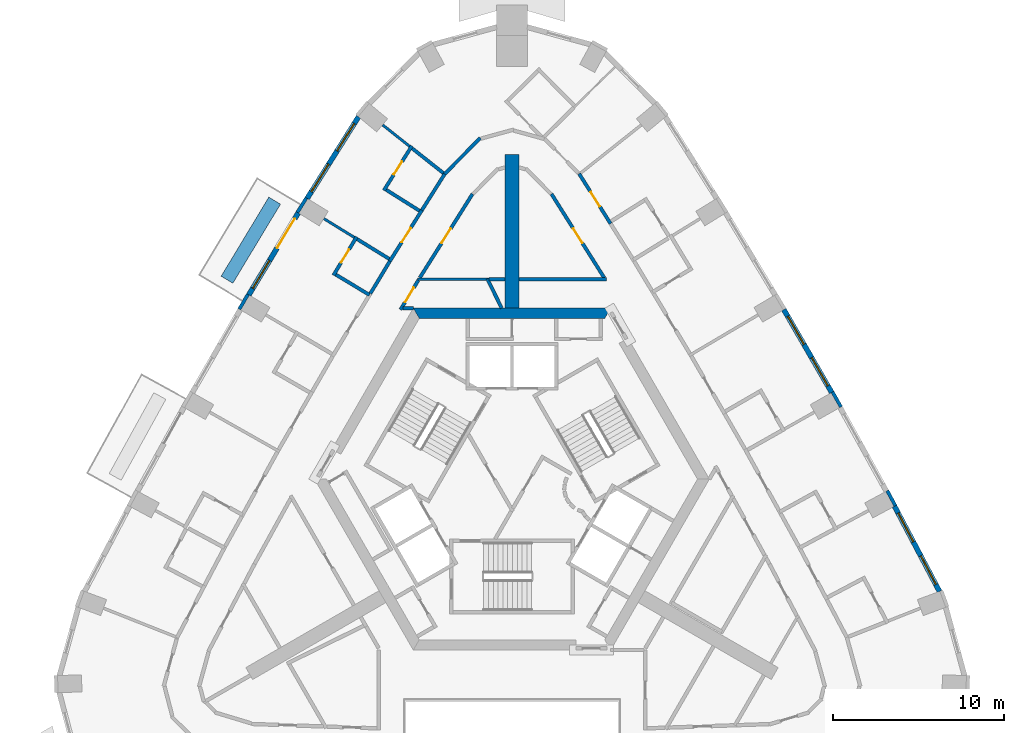
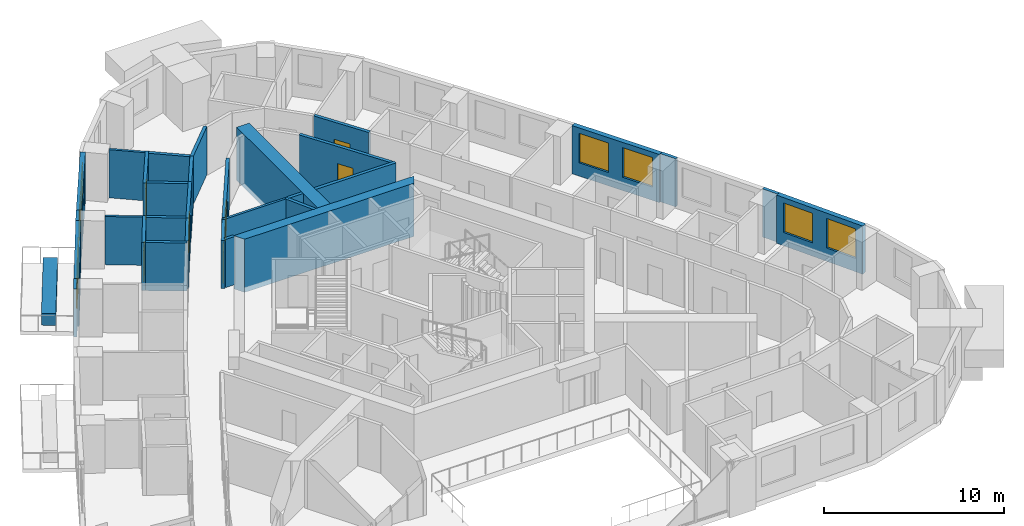
# One storey, part 9 of 14: 32 walls, 8 doors, 7 windows, 15 openings.
"""IFC4 building model written with IfcOpenShell, lengths in metres."""

import ifcopenshell
import ifcopenshell.guid

model = None  # the IFC model being written
_history = None  # IfcOwnerHistory: only IFC2X3 demands one
_inside = {}  # id of a spatial element -> (the spatial element, [elements in it])
_under = {}  # id of a project, library or spatial element -> (it, [spatial elements below it])
_declared = {}  # id of a project -> (the project, [libraries it declares])
_typed = {}  # id of a type object -> (the type object, [elements of that type])
_made_of = {}  # id of a material, layer set ... -> (it, [elements and type objects made of it])


def new_model(schema):
    """Start an empty IFC model of exactly this schema.

    Asked for "IFC4X3", IfcOpenShell would pick the latest addendum, in which some entities
    have other attributes; the version numbers below select the first issue.
    IFC2X3 requires an IfcOwnerHistory on every rooted entity: one is made here for all.
    """
    global model, _history
    if schema == "IFC4X3":
        model = ifcopenshell.file(schema_version=(4, 3, 0, 0))
    else:
        model = ifcopenshell.file(schema=schema)
    _inside.clear()
    _under.clear()
    _declared.clear()
    _typed.clear()
    _made_of.clear()
    _history = None
    if model.schema == "IFC2X3":
        org = make("IfcOrganization", Name="unknown")
        user = make(
            "IfcPersonAndOrganization",
            ThePerson=make("IfcPerson", FamilyName="unknown"),
            TheOrganization=org,
        )
        app = make(
            "IfcApplication",
            ApplicationDeveloper=org,
            Version="unknown",
            ApplicationFullName="unknown",
            ApplicationIdentifier="unknown",
        )
        _history = make(
            "IfcOwnerHistory",
            OwningUser=user,
            OwningApplication=app,
            ChangeAction="ADDED",
            CreationDate=0,
        )
    return model


def make(cls, **values):
    """One entity of the class cls with the attributes given. An attribute that is None is left unset."""
    return model.create_entity(
        cls, **{name: value for name, value in values.items() if value is not None}
    )


def rooted(cls, **values):
    """An entity with a GlobalId (a new one), such as an element, a storey or a relation."""
    return make(cls, GlobalId=ifcopenshell.guid.new(), OwnerHistory=_history, **values)


def si_unit(unit_type, name, prefix=None):
    """IfcSIUnit, for example si_unit("LENGTHUNIT", "METRE", prefix="MILLI")."""
    return make("IfcSIUnit", UnitType=unit_type, Prefix=prefix, Name=name)


def assignment(units):
    """IfcUnitAssignment: the units of a project."""
    return None if units is None else make("IfcUnitAssignment", Units=units)


def point(xyz):
    """IfcCartesianPoint."""
    return None if xyz is None else make("IfcCartesianPoint", Coordinates=xyz)


def direction(xyz):
    """IfcDirection."""
    return None if xyz is None else make("IfcDirection", DirectionRatios=xyz)


def frame(location, z_axis=None, x_axis=None):
    """IfcAxis2Placement3D, a coordinate frame: its origin and axes. An axis left out is left unset."""
    return make(
        "IfcAxis2Placement3D",
        Location=point(location),
        Axis=direction(z_axis),
        RefDirection=direction(x_axis),
    )


def frame_2d(location, x_axis=None):
    """IfcAxis2Placement2D, a coordinate frame in the plane: its origin and x axis."""
    return make(
        "IfcAxis2Placement2D", Location=point(location), RefDirection=direction(x_axis)
    )


def origin():
    """The frame at (0, 0, 0) with its axes left unset."""
    return frame((0.0, 0.0, 0.0))


def place(relative_to, where):
    """IfcLocalPlacement: puts the frame where relative to a parent placement (None: the world)."""
    return make(
        "IfcLocalPlacement", PlacementRelTo=relative_to, RelativePlacement=where
    )


def context(
    kind, dimensions, precision=None, world=None, true_north=None, identifier=None
):
    """IfcGeometricRepresentationContext, for example the 3D "Model" context."""
    return make(
        "IfcGeometricRepresentationContext",
        ContextIdentifier=identifier,
        ContextType=kind,
        CoordinateSpaceDimension=dimensions,
        Precision=precision,
        WorldCoordinateSystem=world,
        TrueNorth=true_north,
    )


def subcontext(parent, identifier, kind, view, scale=None):
    """IfcGeometricRepresentationSubContext, for example "Body" below "Model"."""
    return make(
        "IfcGeometricRepresentationSubContext",
        ContextIdentifier=identifier,
        ContextType=kind,
        ParentContext=parent,
        TargetScale=scale,
        TargetView=view,
    )


def project(units=None, contexts=None):
    """IfcProject with its units and contexts."""
    return rooted(
        "IfcProject",
        Name="project",
        RepresentationContexts=contexts,
        UnitsInContext=assignment(units),
    )


def spatial(cls, under=None, at=None, **own):
    """A site, building, storey or space (cls), placed at a placement, below another one or the project."""
    s = rooted(cls, ObjectPlacement=at, **own)
    if under is not None:
        _under.setdefault(under.id(), (under, []))[1].append(s)
    return s


def polyline(points):
    """IfcPolyline through the points."""
    return make("IfcPolyline", Points=[point(p) for p in points])


def profile(cls, at=None, kind="AREA", **sizes):
    """A parametric profile (cls). Its sizes go by their IFC names, for example OverallWidth=200.0."""
    return make(cls, ProfileType=kind, Position=at, **sizes)


def rectangle(**sizes):
    """IfcRectangleProfileDef."""
    return profile("IfcRectangleProfileDef", **sizes)


def outline(outer, holes=None, kind="AREA"):
    """IfcArbitraryClosedProfileDef: a profile drawn as a closed curve; with holes, ...WithVoids."""
    if holes is None:
        return make("IfcArbitraryClosedProfileDef", ProfileType=kind, OuterCurve=outer)
    return make(
        "IfcArbitraryProfileDefWithVoids",
        ProfileType=kind,
        OuterCurve=outer,
        InnerCurves=holes,
    )


def extrude(swept, where, along, depth):
    """IfcExtrudedAreaSolid: the profile swept, set in the frame where, extruded along a direction by depth."""
    return make(
        "IfcExtrudedAreaSolid",
        SweptArea=swept,
        Position=where,
        ExtrudedDirection=direction(along),
        Depth=depth,
    )


def shape(context_of_items, identifier, shape_type, items):
    """IfcShapeRepresentation: the items that make up one representation, for example the "Body"."""
    return make(
        "IfcShapeRepresentation",
        ContextOfItems=context_of_items,
        RepresentationIdentifier=identifier,
        RepresentationType=shape_type,
        Items=items,
    )


def material(Name=None, Category=None):
    """IfcMaterial."""
    return make("IfcMaterial", Name=Name, Category=Category)


def layer(
    of_material, thickness, ventilated=None, Name=None, Category=None, Priority=None
):
    """IfcMaterialLayer: one layer of a wall or slab, of a material (None: an air gap)."""
    return make(
        "IfcMaterialLayer",
        Material=of_material,
        LayerThickness=thickness,
        IsVentilated=ventilated,
        Name=Name,
        Category=Category,
        Priority=Priority,
    )


def layer_set(layers, Name=None):
    """IfcMaterialLayerSet."""
    return make("IfcMaterialLayerSet", MaterialLayers=layers, LayerSetName=Name)


def made_of(thing, what):
    """Note that an element or type object is made of a material, layer set ...; save() writes the relation."""
    if what is not None:
        _made_of.setdefault(what.id(), (what, []))[1].append(thing)
    return thing


def type_object(cls, material=None, **own):
    """A type object (cls), such as IfcWallType, which elements share."""
    return made_of(rooted(cls, **own), material)


def element(
    cls,
    number,
    at=None,
    inside=None,
    cuts=None,
    type_object=None,
    material=None,
    context=None,
    identifier="Body",
    shape_type=None,
    held_by="IfcProductDefinitionShape",
    body=None,
    shapes=None,
    **own,
):
    """One element of the class cls, such as IfcWall. Its Tag is "e" and its number.

    at: its placement. inside: the storey or other place that contains it. cuts: it is an
    opening in that element (IfcRelVoidsElement). A single representation is given by context,
    identifier, shape_type and body (its items); several are given by shapes. held_by: the class
    of the entity that holds the representations. save() writes the other relations.
    """
    e = rooted(cls, Tag="e%d" % number, ObjectPlacement=at, **own)
    if body is not None:
        shapes = [shape(context, identifier, shape_type, body)]
    if shapes is not None:
        e.Representation = make(held_by, Representations=shapes)
    if inside is not None:
        _inside.setdefault(inside.id(), (inside, []))[1].append(e)
    if cuts is not None:
        rooted(
            "IfcRelVoidsElement", RelatingBuildingElement=cuts, RelatedOpeningElement=e
        )
    if type_object is not None:
        _typed.setdefault(type_object.id(), (type_object, []))[1].append(e)
    return made_of(e, material)


def fill(opening, filler):
    """IfcRelFillsElement: the door or window that sits in an opening."""
    return rooted(
        "IfcRelFillsElement",
        RelatingOpeningElement=opening,
        RelatedBuildingElement=filler,
    )


def aggregate(whole, parts):
    """IfcRelAggregates: a whole, such as a stair, and the parts it consists of."""
    return rooted("IfcRelAggregates", RelatingObject=whole, RelatedObjects=parts)


def save(model, path):
    """Write the relations noted so far, then the file.

    IfcRelAggregates (storeys below a building ...), IfcRelContainedInSpatialStructure (elements
    in a storey), IfcRelDefinesByType, IfcRelAssociatesMaterial and IfcRelDeclares: one each for
    every whole, place, type object, material and project.
    """
    for whole, parts in _under.values():
        aggregate(whole, parts)
    for where, things in _inside.values():
        rooted(
            "IfcRelContainedInSpatialStructure",
            RelatedElements=things,
            RelatingStructure=where,
        )
    for kind, things in _typed.values():
        rooted("IfcRelDefinesByType", RelatedObjects=things, RelatingType=kind)
    for what, things in _made_of.values():
        rooted("IfcRelAssociatesMaterial", RelatedObjects=things, RelatingMaterial=what)
    for by, libraries in _declared.values():
        rooted("IfcRelDeclares", RelatingContext=by, RelatedDefinitions=libraries)
    model.write(path)


model = new_model("IFC4")

# Units and contexts
model_context = context("Model", 3, precision=1e-05, world=origin(), true_north=direction((0.0, 1.0)))
body_context = subcontext(model_context, "Body", "Model", "MODEL_VIEW")
ifc_project = project(units=[si_unit("LENGTHUNIT", "METRE"), si_unit("AREAUNIT", "SQUARE_METRE"), si_unit("VOLUMEUNIT", "CUBIC_METRE"), si_unit("PLANEANGLEUNIT", "RADIAN"), si_unit("MASSUNIT", "GRAM", prefix="KILO")], contexts=[model_context])

# Site, building, storey
site_placement = place(None, origin())
site = spatial("IfcSite", under=ifc_project, at=site_placement, CompositionType="ELEMENT")
building_placement = place(site_placement, origin())
building = spatial("IfcBuilding", under=site, at=building_placement, Name="Entoto Arch Interchange Tower", CompositionType="ELEMENT")
storey_placement = place(building_placement, frame((0.0, 0.0, 259.39990234375)))
storey = spatial("IfcBuildingStorey", under=building, at=storey_placement, Name="L59", CompositionType="ELEMENT", Elevation=259.39990234375)

# Walls
ifc_material_1 = material(Name="Concrete C40/50", Category="concrete")
ifc_layer_1 = layer(ifc_material_1, 0.800048828125)
ifc_layer_set_1 = layer_set([ifc_layer_1], Name="Concrete C40/50")
wall_type_1 = type_object("IfcWallType", Name="Buttress wall 800 C40/50", PredefinedType="SHEAR", material=ifc_layer_set_1)
wall_1_placement = place(storey_placement, frame((0.0, 12.5, -0.33984375), z_axis=(0.0, 0.0, 1.0), x_axis=(0.0, 1.0, 0.0)))
element("IfcWall", 1, at=wall_1_placement, inside=storey, type_object=wall_type_1, Name="Buttress wall N L59", PredefinedType="SHEAR", context=body_context, shape_type="SweptSolid", body=[
    extrude(rectangle(XDim=9.0, YDim=0.800048828125, at=frame_2d((4.5, 0.0))), origin(), (0.0, 0.0, 1.0), 3.599853515625),
])
ifc_layer_2 = layer(ifc_material_1, 0.60009765625)
ifc_layer_set_2 = layer_set([ifc_layer_2], Name="Concrete C40/50")
wall_type_2 = type_object("IfcWallType", Name="Core wall 600 C40/50", PredefinedType="SHEAR", material=ifc_layer_set_2)
wall_2_placement = place(storey_placement, frame((0.0, 0.0, -0.33984375)))
element("IfcWall", 2, at=wall_2_placement, inside=storey, type_object=wall_type_2, Name="Core wall N L59", PredefinedType="SHEAR", context=body_context, shape_type="SweptSolid", body=[
    extrude(outline(polyline([(5.77392578125, 12.5), (-5.77392578125, 12.5), (-5.427001953125, 11.89990234375), (5.427001953125, 11.89990234375), (5.77392578125, 12.5)])), origin(), (0.0, 0.0, 1.0), 3.599853515625),
])
ifc_material_2 = material(Name="Gypsum board partition on steel studs", Category="steel")
ifc_layer_3 = layer(ifc_material_2, 0.14990234375)
ifc_layer_set_3 = layer_set([ifc_layer_3], Name="Gypsum board partition on steel studs")
wall_type_3 = type_object("IfcWallType", Name="PARTITION 150", PredefinedType="PARTITIONING", material=ifc_layer_set_3)
wall_3_placement = place(storey_placement, frame((-1.333984375, 14.199951171875, 0.0), z_axis=(0.0, 0.0, 1.0), x_axis=(-1.0, 0.0, 0.0)))
element("IfcWall", 3, at=wall_3_placement, inside=storey, type_object=wall_type_3, Name="wall:L59:p089", PredefinedType="PARTITIONING", context=body_context, shape_type="SweptSolid", body=[
    extrude(rectangle(XDim=4.208984375, YDim=0.14990234375, at=frame_2d((2.1044921875, 0.0))), origin(), (0.0, 0.0, 1.0), 3.260009765625),
])
wall_4_placement = place(storey_placement, frame((-5.989990234375, 21.969970703125, 0.0), z_axis=(0.0, 0.0, 1.0), x_axis=(-0.783573405437, 0.621299218003, 0.0)))
element("IfcWall", 4, at=wall_4_placement, inside=storey, type_object=wall_type_3, Name="wall:L59:p155", PredefinedType="PARTITIONING", context=body_context, shape_type="SweptSolid", body=[
    extrude(rectangle(XDim=2.00244140625, YDim=0.14990234375, at=frame_2d((1.001220703125, 0.0))), origin(), (0.0, 0.0, 1.0), 3.260009765625),
])
wall_5_placement = place(storey_placement, frame((-9.22509765625, 16.64111328125, 0.0), z_axis=(0.0, 0.0, 1.0), x_axis=(-0.85144868382, 0.524437926566, 0.0)))
element("IfcWall", 5, at=wall_5_placement, inside=storey, type_object=wall_type_3, Name="wall:L59:p159", PredefinedType="PARTITIONING", context=body_context, shape_type="SweptSolid", body=[
    extrude(rectangle(XDim=2.080078125, YDim=0.14990234375, at=frame_2d((1.0400390625, 0.0))), origin(), (0.0, 0.0, 1.0), 3.260009765625),
])
ifc_layer_4 = layer(ifc_material_2, 0.199951171875)
ifc_layer_set_4 = layer_set([ifc_layer_4], Name="Gypsum board partition on steel studs")
wall_type_4 = type_object("IfcWallType", Name="PARTITION 200", PredefinedType="PARTITIONING", material=ifc_layer_set_4)
wall_6_placement = place(storey_placement, frame((-0.60009765625, 12.5, 0.0), z_axis=(0.0, 0.0, 1.0), x_axis=(-0.440531456598, 0.897737175206, 0.0)))
element("IfcWall", 6, at=wall_6_placement, inside=storey, type_object=wall_type_4, Name="wall:L59:p001", PredefinedType="PARTITIONING", context=body_context, shape_type="SweptSolid", body=[
    extrude(rectangle(XDim=1.91796875, YDim=0.199951171875, at=frame_2d((0.958984375, 0.0))), origin(), (0.0, 0.0, 1.0), 3.260009765625),
])

# Wall, opening, door
wall_7_placement = place(storey_placement, frame((-5.48193359375, 14.135986328125, 0.0), z_axis=(0.0, 0.0, 1.0), x_axis=(-0.516156559549, -0.856494253357, 0.0)))
wall_7 = element("IfcWall", 7, at=wall_7_placement, inside=storey, type_object=wall_type_4, Name="wall:L59:p002", PredefinedType="PARTITIONING", context=body_context, shape_type="SweptSolid", body=[
    extrude(rectangle(XDim=2.00927734375, YDim=0.199951171875, at=frame_2d((1.004638671875, 0.0))), origin(), (0.0, 0.0, 1.0), 3.260009765625),
])
opening_1_placement = place(wall_7_placement, frame((0.50390625, 0.0, 0.0)))
opening_1 = element("IfcOpeningElement", 8, at=opening_1_placement, cuts=wall_7, Name="Opening L59-D44", PredefinedType="OPENING", context=body_context, shape_type="SweptSolid", body=[
    extrude(rectangle(XDim=1.0, YDim=2.10009765625, at=frame_2d((0.5, 1.050048828125))), frame((0.0, 0.10986328125, 0.0), z_axis=(0.0, -1.0, 0.0), x_axis=(1.0, 0.0, 0.0)), (0.0, 0.0, 1.0), 0.219970703125),
])
ifc_material_3 = material(Name="Timber door leaf in Steel S235 frame", Category="steel")
door_type_1 = type_object("IfcDoorType", Name="DOOR DS-10 1000x2100", OperationType="SINGLE_SWING_LEFT", PredefinedType="DOOR", material=ifc_material_3)
door_1_placement = place(opening_1_placement, origin())
door_1 = element("IfcDoor", 9, at=door_1_placement, inside=storey, type_object=door_type_1, Name="door:L59:44", OperationType="SINGLE_SWING_LEFT", OverallHeight=2.10009765625, OverallWidth=1.0, PredefinedType="DOOR", context=body_context, shape_type="SweptSolid", body=[
    extrude(rectangle(XDim=1.0, YDim=2.10009765625, at=frame_2d((0.5, 1.050048828125))), frame((0.0, 0.02490234375, 0.0), z_axis=(0.0, -1.0, 0.0), x_axis=(1.0, 0.0, 0.0)), (0.0, 0.0, 1.0), 0.050048828125),
])
fill(opening_1, door_1)

# Walls
wall_8_placement = place(storey_placement, frame((-6.366943359375, 12.5009765625, 0.0), z_axis=(0.0, 0.0, 1.0), x_axis=(1.0, 0.0, 0.0)))
element("IfcWall", 10, at=wall_8_placement, inside=storey, type_object=wall_type_4, Name="wall:L59:p003", PredefinedType="PARTITIONING", context=body_context, shape_type="SweptSolid", body=[
    extrude(rectangle(XDim=0.595947265625, YDim=0.199951171875, at=frame_2d((0.2978515625, 0.0))), origin(), (0.0, 0.0, 1.0), 3.260009765625),
])
wall_9_placement = place(storey_placement, frame((0.39990234375, 14.199951171875, 0.0), z_axis=(0.0, 0.0, 1.0), x_axis=(1.0, 0.0, 0.0)))
element("IfcWall", 11, at=wall_9_placement, inside=storey, type_object=wall_type_4, Name="wall:L59:p006", PredefinedType="PARTITIONING", context=body_context, shape_type="SweptSolid", body=[
    extrude(rectangle(XDim=5.14306640625, YDim=0.199951171875, at=frame_2d((2.571533203125, 0.0))), origin(), (0.0, 0.0, 1.0), 3.260009765625),
])

# Wall, opening, door
wall_10_placement = place(storey_placement, frame((5.39404296875, 14.281005859375, 0.0), z_axis=(0.0, 0.0, 1.0), x_axis=(-0.532551510955, 0.846397594621, 0.0)))
wall_10 = element("IfcWall", 12, at=wall_10_placement, inside=storey, type_object=wall_type_4, Name="wall:L59:p007", PredefinedType="PARTITIONING", context=body_context, shape_type="SweptSolid", body=[
    extrude(rectangle(XDim=5.7890625, YDim=0.199951171875, at=frame_2d((2.89453125, 0.0))), origin(), (0.0, 0.0, 1.0), 3.260009765625),
])
opening_2_placement = place(wall_10_placement, frame((2.39404296875, 0.0, 0.0)))
opening_2 = element("IfcOpeningElement", 13, at=opening_2_placement, cuts=wall_10, Name="Opening L59-D38", PredefinedType="OPENING", context=body_context, shape_type="SweptSolid", body=[
    extrude(rectangle(XDim=1.0, YDim=2.10009765625, at=frame_2d((0.5, 1.050048828125))), frame((0.0, 0.10986328125, 0.0), z_axis=(0.0, -1.0, 0.0), x_axis=(1.0, 0.0, 0.0)), (0.0, 0.0, 1.0), 0.219970703125),
])
door_2_placement = place(opening_2_placement, origin())
door_2 = element("IfcDoor", 14, at=door_2_placement, inside=storey, type_object=door_type_1, Name="door:L59:38", OperationType="SINGLE_SWING_LEFT", OverallHeight=2.10009765625, OverallWidth=1.0, PredefinedType="DOOR", context=body_context, shape_type="SweptSolid", body=[
    extrude(rectangle(XDim=1.0, YDim=2.10009765625, at=frame_2d((0.5, 1.050048828125))), frame((0.0, 0.02490234375, 0.0), z_axis=(0.0, -1.0, 0.0), x_axis=(1.0, 0.0, 0.0)), (0.0, 0.0, 1.0), 0.050048828125),
])
fill(opening_2, door_2)

# Wall
wall_11_placement = place(storey_placement, frame((-1.333984375, 14.199951171875, 0.0), z_axis=(0.0, 0.0, 1.0), x_axis=(1.0, 0.0, 0.0)))
element("IfcWall", 15, at=wall_11_placement, inside=storey, type_object=wall_type_4, Name="wall:L59:p010", PredefinedType="PARTITIONING", context=body_context, shape_type="SweptSolid", body=[
    extrude(rectangle(XDim=0.93408203125, YDim=0.199951171875, at=frame_2d((0.467041015625, 0.0))), origin(), (0.0, 0.0, 1.0), 3.260009765625),
])

# Wall, opening, door
wall_12_placement = place(storey_placement, frame((-2.31103515625, 19.180908203125, 0.0), z_axis=(0.0, 0.0, 1.0), x_axis=(-0.532551510955, -0.846397594621, 0.0)))
wall_12 = element("IfcWall", 16, at=wall_12_placement, inside=storey, type_object=wall_type_4, Name="wall:L59:p013", PredefinedType="PARTITIONING", context=body_context, shape_type="SweptSolid", body=[
    extrude(rectangle(XDim=5.7890625, YDim=0.199951171875, at=frame_2d((2.89453125, 0.0))), origin(), (0.0, 0.0, 1.0), 3.260009765625),
])
opening_3_placement = place(wall_12_placement, frame((2.39404296875, 0.0, 0.0)))
opening_3 = element("IfcOpeningElement", 17, at=opening_3_placement, cuts=wall_12, Name="Opening L59-D39", PredefinedType="OPENING", context=body_context, shape_type="SweptSolid", body=[
    extrude(rectangle(XDim=1.0, YDim=2.10009765625, at=frame_2d((0.5, 1.050048828125))), frame((0.0, 0.10986328125, 0.0), z_axis=(0.0, -1.0, 0.0), x_axis=(1.0, 0.0, 0.0)), (0.0, 0.0, 1.0), 0.219970703125),
])
door_3_placement = place(opening_3_placement, origin())
door_3 = element("IfcDoor", 18, at=door_3_placement, inside=storey, type_object=door_type_1, Name="door:L59:39", OperationType="SINGLE_SWING_LEFT", OverallHeight=2.10009765625, OverallWidth=1.0, PredefinedType="DOOR", context=body_context, shape_type="SweptSolid", body=[
    extrude(rectangle(XDim=1.0, YDim=2.10009765625, at=frame_2d((0.5, 1.050048828125))), frame((0.0, 0.02490234375, 0.0), z_axis=(0.0, -1.0, 0.0), x_axis=(1.0, 0.0, 0.0)), (0.0, 0.0, 1.0), 0.050048828125),
])
fill(opening_3, door_3)

wall_13_placement = place(storey_placement, frame((3.927978515625, 20.366943359375, 0.0), z_axis=(0.0, 0.0, 1.0), x_axis=(0.532616247911, -0.846356858814, 0.0)))
wall_13 = element("IfcWall", 19, at=wall_13_placement, inside=storey, type_object=wall_type_4, Name="wall:L59:p050", PredefinedType="PARTITIONING", context=body_context, shape_type="SweptSolid", body=[
    extrude(rectangle(XDim=3.451171875, YDim=0.199951171875, at=frame_2d((1.7255859375, 0.0))), origin(), (0.0, 0.0, 1.0), 3.260009765625),
])
opening_4_placement = place(wall_13_placement, frame((1.27490234375, 0.0, 0.0)))
opening_4 = element("IfcOpeningElement", 20, at=opening_4_placement, cuts=wall_13, Name="Opening L59-D14", PredefinedType="OPENING", context=body_context, shape_type="SweptSolid", body=[
    extrude(rectangle(XDim=1.0, YDim=2.10009765625, at=frame_2d((0.5, 1.050048828125))), frame((0.0, 0.10986328125, 0.0), z_axis=(0.0, -1.0, 0.0), x_axis=(1.0, 0.0, 0.0)), (0.0, 0.0, 1.0), 0.219970703125),
])
ifc_material_4 = material(Name="Fire-rated Steel S235 door and frame", Category="steel")
door_type_2 = type_object("IfcDoorType", Name="DOOR FD-10 1000x2100", OperationType="SINGLE_SWING_LEFT", PredefinedType="DOOR", material=ifc_material_4)
door_4_placement = place(opening_4_placement, origin())
door_4 = element("IfcDoor", 21, at=door_4_placement, inside=storey, type_object=door_type_2, Name="door:L59:14", OperationType="SINGLE_SWING_LEFT", OverallHeight=2.10009765625, OverallWidth=1.0, PredefinedType="DOOR", context=body_context, shape_type="SweptSolid", body=[
    extrude(rectangle(XDim=1.0, YDim=2.10009765625, at=frame_2d((0.5, 1.050048828125))), frame((0.0, 0.02490234375, 0.0), z_axis=(0.0, -1.0, 0.0), x_axis=(1.0, 0.0, 0.0)), (0.0, 0.0, 1.0), 0.050048828125),
])
fill(opening_4, door_4)

# Wall
wall_14_placement = place(storey_placement, frame((-4.011962890625, 20.27490234375, 0.0), z_axis=(0.0, 0.0, 1.0), x_axis=(0.702488437915, 0.711695155664, 0.0)))
element("IfcWall", 22, at=wall_14_placement, inside=storey, type_object=wall_type_4, Name="wall:L59:p053", PredefinedType="PARTITIONING", context=body_context, shape_type="SweptSolid", body=[
    extrude(rectangle(XDim=3.075927734375, YDim=0.199951171875, at=frame_2d((1.5380859375, 0.0))), origin(), (0.0, 0.0, 1.0), 3.260009765625),
])

# Wall, opening, door
wall_15_placement = place(storey_placement, frame((-7.14990234375, 15.24609375, 0.0), z_axis=(0.0, 0.0, 1.0), x_axis=(0.532449518014, 0.846461759778, 0.0)))
wall_15 = element("IfcWall", 23, at=wall_15_placement, inside=storey, type_object=wall_type_4, Name="wall:L59:p056", PredefinedType="PARTITIONING", context=body_context, shape_type="SweptSolid", body=[
    extrude(rectangle(XDim=3.525146484375, YDim=0.199951171875, at=frame_2d((1.7626953125, 0.0))), origin(), (0.0, 0.0, 1.0), 3.260009765625),
])
opening_5_placement = place(wall_15_placement, frame((1.31298828125, 0.0, 0.0)))
opening_5 = element("IfcOpeningElement", 24, at=opening_5_placement, cuts=wall_15, Name="Opening L59-D19", PredefinedType="OPENING", context=body_context, shape_type="SweptSolid", body=[
    extrude(rectangle(XDim=1.0, YDim=2.10009765625, at=frame_2d((0.5, 1.050048828125))), frame((0.0, 0.10986328125, 0.0), z_axis=(0.0, -1.0, 0.0), x_axis=(1.0, 0.0, 0.0)), (0.0, 0.0, 1.0), 0.219970703125),
])
door_5_placement = place(opening_5_placement, origin())
door_5 = element("IfcDoor", 25, at=door_5_placement, inside=storey, type_object=door_type_2, Name="door:L59:19", OperationType="SINGLE_SWING_RIGHT", OverallHeight=2.10009765625, OverallWidth=1.0, PredefinedType="DOOR", context=body_context, shape_type="SweptSolid", body=[
    extrude(rectangle(XDim=1.0, YDim=2.10009765625, at=frame_2d((0.5, 1.050048828125))), frame((0.0, 0.02490234375, 0.0), z_axis=(0.0, -1.0, 0.0), x_axis=(1.0, 0.0, 0.0)), (0.0, 0.0, 1.0), 0.050048828125),
])
fill(opening_5, door_5)

# Walls
wall_16_placement = place(storey_placement, frame((-5.27294921875, 18.22998046875, 0.0), z_axis=(0.0, 0.0, 1.0), x_axis=(0.532743344325, 0.846276863135, 0.0)))
element("IfcWall", 26, at=wall_16_placement, inside=storey, type_object=wall_type_4, Name="wall:L59:p057", PredefinedType="PARTITIONING", context=body_context, shape_type="SweptSolid", body=[
    extrude(rectangle(XDim=2.500244140625, YDim=0.199951171875, at=frame_2d((1.25, 0.0))), origin(), (0.0, 0.0, 1.0), 3.260009765625),
])
wall_17_placement = place(storey_placement, frame((-8.283935546875, 13.361083984375, 0.0), z_axis=(0.0, 0.0, 1.0), x_axis=(0.516354965559, 0.856374654893, 0.0)))
element("IfcWall", 27, at=wall_17_placement, inside=storey, type_object=wall_type_4, Name="wall:L59:p059", PredefinedType="PARTITIONING", context=body_context, shape_type="SweptSolid", body=[
    extrude(rectangle(XDim=2.199951171875, YDim=0.199951171875, at=frame_2d((1.10009765625, 0.0))), origin(), (0.0, 0.0, 1.0), 3.260009765625),
])
wall_18_placement = place(storey_placement, frame((-4.02001953125, 20.407958984375, 0.0), z_axis=(0.0, 0.0, 1.0), x_axis=(-0.783681902275, 0.621162358846, 0.0)))
element("IfcWall", 28, at=wall_18_placement, inside=storey, type_object=wall_type_4, Name="wall:L59:p156", PredefinedType="PARTITIONING", context=body_context, shape_type="SweptSolid", body=[
    extrude(rectangle(XDim=2.3134765625, YDim=0.199951171875, at=frame_2d((1.15673828125, 0.0))), origin(), (0.0, 0.0, 1.0), 3.260009765625),
])

# Wall, opening, door
wall_19_placement = place(storey_placement, frame((-5.85791015625, 21.991943359375, 0.0), z_axis=(0.0, 0.0, 1.0), x_axis=(-0.532874387162, -0.846194355634, 0.0)))
wall_19 = element("IfcWall", 29, at=wall_19_placement, inside=storey, type_object=wall_type_4, Name="wall:L59:p157", PredefinedType="PARTITIONING", context=body_context, shape_type="SweptSolid", body=[
    extrude(rectangle(XDim=3.072509765625, YDim=0.199951171875, at=frame_2d((1.5361328125, 0.0))), origin(), (0.0, 0.0, 1.0), 3.260009765625),
])
opening_6_placement = place(wall_19_placement, frame((1.0859375, 0.0, 0.0)))
opening_6 = element("IfcOpeningElement", 30, at=opening_6_placement, cuts=wall_19, Name="Opening L59-D20", PredefinedType="OPENING", context=body_context, shape_type="SweptSolid", body=[
    extrude(rectangle(XDim=0.89990234375, YDim=2.10009765625, at=frame_2d((0.449951171875, 1.050048828125))), frame((0.0, 0.10986328125, 0.0), z_axis=(0.0, -1.0, 0.0), x_axis=(1.0, 0.0, 0.0)), (0.0, 0.0, 1.0), 0.219970703125),
])
door_type_3 = type_object("IfcDoorType", Name="DOOR DS-09 900x2100", OperationType="SINGLE_SWING_LEFT", PredefinedType="DOOR", material=ifc_material_3)
door_6_placement = place(opening_6_placement, origin())
door_6 = element("IfcDoor", 31, at=door_6_placement, inside=storey, type_object=door_type_3, Name="door:L59:20", OperationType="SINGLE_SWING_LEFT", OverallHeight=2.10009765625, OverallWidth=0.89990234375, PredefinedType="DOOR", context=body_context, shape_type="SweptSolid", body=[
    extrude(rectangle(XDim=0.89990234375, YDim=2.10009765625, at=frame_2d((0.449951171875, 1.050048828125))), frame((0.0, 0.02490234375, 0.0), z_axis=(0.0, -1.0, 0.0), x_axis=(1.0, 0.0, 0.0)), (0.0, 0.0, 1.0), 0.050048828125),
])
fill(opening_6, door_6)

# Walls
wall_20_placement = place(storey_placement, frame((-7.35693359375, 19.423095703125, 0.0), z_axis=(0.0, 0.0, 1.0), x_axis=(0.846270070045, -0.532754135176, 0.0)))
element("IfcWall", 32, at=wall_20_placement, inside=storey, type_object=wall_type_4, Name="wall:L59:p158", PredefinedType="PARTITIONING", context=body_context, shape_type="SweptSolid", body=[
    extrude(rectangle(XDim=2.299560546875, YDim=0.199951171875, at=frame_2d((1.14990234375, 0.0))), origin(), (0.0, 0.0, 1.0), 3.260009765625),
])
wall_21_placement = place(storey_placement, frame((-7.181884765625, 15.383056640625, 0.0), z_axis=(0.0, 0.0, 1.0), x_axis=(-0.851498142432, 0.524357619792, 0.0)))
element("IfcWall", 33, at=wall_21_placement, inside=storey, type_object=wall_type_4, Name="wall:L59:p160", PredefinedType="PARTITIONING", context=body_context, shape_type="SweptSolid", body=[
    extrude(rectangle(XDim=2.198486328125, YDim=0.199951171875, at=frame_2d((1.09912109375, 0.0))), origin(), (0.0, 0.0, 1.0), 3.260009765625),
])

# Wall, opening, door
wall_22_placement = place(storey_placement, frame((-9.087890625, 16.674072265625, 0.0), z_axis=(0.0, 0.0, 1.0), x_axis=(-0.516780274192, -0.856118069081, 0.0)))
wall_22 = element("IfcWall", 34, at=wall_22_placement, inside=storey, type_object=wall_type_4, Name="wall:L59:p161", PredefinedType="PARTITIONING", context=body_context, shape_type="SweptSolid", body=[
    extrude(rectangle(XDim=2.62255859375, YDim=0.199951171875, at=frame_2d((1.311279296875, 0.0))), origin(), (0.0, 0.0, 1.0), 3.260009765625),
])
opening_7_placement = place(wall_22_placement, frame((0.861083984375, 0.0, 0.0)))
opening_7 = element("IfcOpeningElement", 35, at=opening_7_placement, cuts=wall_22, Name="Opening L59-D22", PredefinedType="OPENING", context=body_context, shape_type="SweptSolid", body=[
    extrude(rectangle(XDim=0.89990234375, YDim=2.10009765625, at=frame_2d((0.449951171875, 1.050048828125))), frame((0.0, 0.10986328125, 0.0), z_axis=(0.0, -1.0, 0.0), x_axis=(1.0, 0.0, 0.0)), (0.0, 0.0, 1.0), 0.219970703125),
])
door_7_placement = place(opening_7_placement, origin())
door_7 = element("IfcDoor", 36, at=door_7_placement, inside=storey, type_object=door_type_3, Name="door:L59:22", OperationType="SINGLE_SWING_LEFT", OverallHeight=2.10009765625, OverallWidth=0.89990234375, PredefinedType="DOOR", context=body_context, shape_type="SweptSolid", body=[
    extrude(rectangle(XDim=0.89990234375, YDim=2.10009765625, at=frame_2d((0.449951171875, 1.050048828125))), frame((0.0, 0.02490234375, 0.0), z_axis=(0.0, -1.0, 0.0), x_axis=(1.0, 0.0, 0.0)), (0.0, 0.0, 1.0), 0.050048828125),
])
fill(opening_7, door_7)

# Walls
wall_23_placement = place(storey_placement, frame((-10.305908203125, 14.462890625, 0.0), z_axis=(0.0, 0.0, 1.0), x_axis=(0.856338986581, -0.51641411683, 0.0)))
element("IfcWall", 37, at=wall_23_placement, inside=storey, type_object=wall_type_4, Name="wall:L59:p162", PredefinedType="PARTITIONING", context=body_context, shape_type="SweptSolid", body=[
    extrude(rectangle(XDim=2.300537109375, YDim=0.199951171875, at=frame_2d((1.150390625, 0.0))), origin(), (0.0, 0.0, 1.0), 3.260009765625),
])
ifc_material_5 = material(Name="Board-marked precast concrete C50/60", Category="concrete")
ifc_layer_5 = layer(ifc_material_5, 0.800048828125)
ifc_layer_set_5 = layer_set([ifc_layer_5], Name="Board-marked precast concrete C50/60")
wall_type_5 = type_object("IfcWallType", Name="PLANTER RC 800 Vachellia abyssinica", PredefinedType="STANDARD", material=ifc_layer_set_5)
wall_24_placement = place(storey_placement, frame((-13.885009765625, 18.791015625, 0.0), z_axis=(0.0, 0.0, 1.0), x_axis=(-0.516301759386, -0.856406733542, 0.0)))
element("IfcWall", 38, at=wall_24_placement, inside=storey, type_object=wall_type_5, Name="Planter NW-02 L59", PredefinedType="STANDARD", context=body_context, shape_type="SweptSolid", body=[
    extrude(rectangle(XDim=5.40380859375, YDim=0.800048828125, at=frame_2d((2.701904296875, 0.0))), origin(), (0.0, 0.0, 1.0), 0.800048828125),
])

# Wall, openings, windows
ifc_material_6 = material(Name="Welded tuff (ignimbrite) cladding, warm buff", Category="masonry")
ifc_layer_6 = layer(ifc_material_6, 0.300048828125)
ifc_layer_set_6 = layer_set([ifc_layer_6], Name="Welded tuff (ignimbrite) cladding, warm buff")
wall_type_6 = type_object("IfcWallType", Name="STONE INFILL WALL 300", PredefinedType="STANDARD", material=ifc_layer_set_6)
wall_25_placement = place(storey_placement, frame((25.011962890625, -4.070068359375, 0.0), z_axis=(0.0, 0.0, 1.0), x_axis=(-0.466663589714, 0.884434900959, 0.0)))
wall_25 = element("IfcWall", 39, at=wall_25_placement, inside=storey, type_object=wall_type_6, Name="Facade wall NE-01 L59", PredefinedType="STANDARD", context=body_context, shape_type="SweptSolid", body=[
    extrude(rectangle(XDim=5.6376953125, YDim=0.300048828125, at=frame_2d((2.81884765625, 0.0))), origin(), (0.0, 0.0, 1.0), 3.260009765625),
])
opening_8_placement = place(wall_25_placement, frame((0.458984375, 0.0, 0.89990234375)))
opening_8 = element("IfcOpeningElement", 40, at=opening_8_placement, cuts=wall_25, Name="Opening WH-C", PredefinedType="OPENING", context=body_context, shape_type="SweptSolid", body=[
    extrude(rectangle(XDim=1.89990234375, YDim=2.0, at=frame_2d((0.949951171875, 1.0))), frame((0.0, 0.16015625, 0.0), z_axis=(0.0, -1.0, 0.0), x_axis=(1.0, 0.0, 0.0)), (0.0, 0.0, 1.0), 0.320068359375),
])
opening_9_placement = place(wall_25_placement, frame((3.278076171875, 0.0, 0.89990234375)))
opening_9 = element("IfcOpeningElement", 41, at=opening_9_placement, cuts=wall_25, Name="Opening WH-C", PredefinedType="OPENING", context=body_context, shape_type="SweptSolid", body=[
    extrude(rectangle(XDim=1.89990234375, YDim=2.0, at=frame_2d((0.949951171875, 1.0))), frame((0.0, 0.16015625, 0.0), z_axis=(0.0, -1.0, 0.0), x_axis=(1.0, 0.0, 0.0)), (0.0, 0.0, 1.0), 0.320068359375),
])
ifc_material_7 = material(Name="Clear glass, low-e double glazed", Category="glass")
window_type = type_object("IfcWindowType", Name="WINDOW WH-C 1900x2000", PartitioningType="DOUBLE_PANEL_VERTICAL", PredefinedType="WINDOW", material=ifc_material_7)
window_1_placement = place(opening_8_placement, origin())
window_1 = element("IfcWindow", 42, at=window_1_placement, inside=storey, type_object=window_type, Name="Window WH-C NE-01 L59", OverallHeight=2.0, OverallWidth=1.89990234375, PartitioningType="SINGLE_PANEL", PredefinedType="WINDOW", context=body_context, shape_type="SweptSolid", body=[
    extrude(rectangle(XDim=1.89990234375, YDim=2.0, at=frame_2d((0.949951171875, 1.0))), frame((0.0, 0.030029296875, 0.0), z_axis=(0.0, -1.0, 0.0), x_axis=(1.0, 0.0, 0.0)), (0.0, 0.0, 1.0), 0.06005859375),
])
fill(opening_8, window_1)
window_2_placement = place(opening_9_placement, origin())
window_2 = element("IfcWindow", 43, at=window_2_placement, inside=storey, type_object=window_type, Name="Window WH-C NE-01 L59", OverallHeight=2.0, OverallWidth=1.89990234375, PartitioningType="SINGLE_PANEL", PredefinedType="WINDOW", context=body_context, shape_type="SweptSolid", body=[
    extrude(rectangle(XDim=1.89990234375, YDim=2.0, at=frame_2d((0.949951171875, 1.0))), frame((0.0, 0.030029296875, 0.0), z_axis=(0.0, -1.0, 0.0), x_axis=(1.0, 0.0, 0.0)), (0.0, 0.0, 1.0), 0.06005859375),
])
fill(opening_9, window_2)

wall_26_placement = place(storey_placement, frame((18.7080078125, 7.56591796875, 0.0), z_axis=(0.0, 0.0, 1.0), x_axis=(-0.500089564757, 0.865973687372, 0.0)))
wall_26 = element("IfcWall", 44, at=wall_26_placement, inside=storey, type_object=wall_type_6, Name="Facade wall NE-03 L59", PredefinedType="STANDARD", context=body_context, shape_type="SweptSolid", body=[
    extrude(rectangle(XDim=5.60302734375, YDim=0.300048828125, at=frame_2d((2.801513671875, 0.0))), origin(), (0.0, 0.0, 1.0), 3.260009765625),
])
opening_10_placement = place(wall_26_placement, frame((0.450927734375, 0.0, 0.89990234375)))
opening_10 = element("IfcOpeningElement", 45, at=opening_10_placement, cuts=wall_26, Name="Opening WH-C", PredefinedType="OPENING", context=body_context, shape_type="SweptSolid", body=[
    extrude(rectangle(XDim=1.89990234375, YDim=2.0, at=frame_2d((0.949951171875, 1.0))), frame((0.0, 0.16015625, 0.0), z_axis=(0.0, -1.0, 0.0), x_axis=(1.0, 0.0, 0.0)), (0.0, 0.0, 1.0), 0.320068359375),
])
opening_11_placement = place(wall_26_placement, frame((3.251953125, 0.0, 0.89990234375)))
opening_11 = element("IfcOpeningElement", 46, at=opening_11_placement, cuts=wall_26, Name="Opening WH-C", PredefinedType="OPENING", context=body_context, shape_type="SweptSolid", body=[
    extrude(rectangle(XDim=1.89990234375, YDim=2.0, at=frame_2d((0.949951171875, 1.0))), frame((0.0, 0.16015625, 0.0), z_axis=(0.0, -1.0, 0.0), x_axis=(1.0, 0.0, 0.0)), (0.0, 0.0, 1.0), 0.320068359375),
])
window_3_placement = place(opening_10_placement, origin())
window_3 = element("IfcWindow", 47, at=window_3_placement, inside=storey, type_object=window_type, Name="Window WH-C NE-03 L59", OverallHeight=2.0, OverallWidth=1.89990234375, PartitioningType="SINGLE_PANEL", PredefinedType="WINDOW", context=body_context, shape_type="SweptSolid", body=[
    extrude(rectangle(XDim=1.89990234375, YDim=2.0, at=frame_2d((0.949951171875, 1.0))), frame((0.0, 0.030029296875, 0.0), z_axis=(0.0, -1.0, 0.0), x_axis=(1.0, 0.0, 0.0)), (0.0, 0.0, 1.0), 0.06005859375),
])
fill(opening_10, window_3)
window_4_placement = place(opening_11_placement, origin())
window_4 = element("IfcWindow", 48, at=window_4_placement, inside=storey, type_object=window_type, Name="Window WH-C NE-03 L59", OverallHeight=2.0, OverallWidth=1.89990234375, PartitioningType="SINGLE_PANEL", PredefinedType="WINDOW", context=body_context, shape_type="SweptSolid", body=[
    extrude(rectangle(XDim=1.89990234375, YDim=2.0, at=frame_2d((0.949951171875, 1.0))), frame((0.0, 0.030029296875, 0.0), z_axis=(0.0, -1.0, 0.0), x_axis=(1.0, 0.0, 0.0)), (0.0, 0.0, 1.0), 0.06005859375),
])
fill(opening_11, window_4)

wall_27_placement = place(storey_placement, frame((-8.98095703125, 23.697021484375, 0.0), z_axis=(0.0, 0.0, 1.0), x_axis=(-0.532558226688, -0.846393369059, 0.0)))
wall_27 = element("IfcWall", 49, at=wall_27_placement, inside=storey, type_object=wall_type_6, Name="Facade wall NW-01 L59", PredefinedType="STANDARD", context=body_context, shape_type="SweptSolid", body=[
    extrude(rectangle(XDim=5.636962890625, YDim=0.300048828125, at=frame_2d((2.818359375, 0.0))), origin(), (0.0, 0.0, 1.0), 3.260009765625),
])
opening_12_placement = place(wall_27_placement, frame((0.458984375, 0.0, 0.89990234375)))
opening_12 = element("IfcOpeningElement", 50, at=opening_12_placement, cuts=wall_27, Name="Opening WH-C", PredefinedType="OPENING", context=body_context, shape_type="SweptSolid", body=[
    extrude(rectangle(XDim=1.89990234375, YDim=2.0, at=frame_2d((0.949951171875, 1.0))), frame((0.0, 0.16015625, 0.0), z_axis=(0.0, -1.0, 0.0), x_axis=(1.0, 0.0, 0.0)), (0.0, 0.0, 1.0), 0.320068359375),
])
opening_13_placement = place(wall_27_placement, frame((3.278076171875, 0.0, 0.89990234375)))
opening_13 = element("IfcOpeningElement", 51, at=opening_13_placement, cuts=wall_27, Name="Opening WH-C", PredefinedType="OPENING", context=body_context, shape_type="SweptSolid", body=[
    extrude(rectangle(XDim=1.89990234375, YDim=2.0, at=frame_2d((0.949951171875, 1.0))), frame((0.0, 0.16015625, 0.0), z_axis=(0.0, -1.0, 0.0), x_axis=(1.0, 0.0, 0.0)), (0.0, 0.0, 1.0), 0.320068359375),
])
window_5_placement = place(opening_12_placement, origin())
window_5 = element("IfcWindow", 52, at=window_5_placement, inside=storey, type_object=window_type, Name="Window WH-C NW-01 L59", OverallHeight=2.0, OverallWidth=1.89990234375, PartitioningType="SINGLE_PANEL", PredefinedType="WINDOW", context=body_context, shape_type="SweptSolid", body=[
    extrude(rectangle(XDim=1.89990234375, YDim=2.0, at=frame_2d((0.949951171875, 1.0))), frame((0.0, 0.030029296875, 0.0), z_axis=(0.0, -1.0, 0.0), x_axis=(1.0, 0.0, 0.0)), (0.0, 0.0, 1.0), 0.06005859375),
])
fill(opening_12, window_5)
window_6_placement = place(opening_13_placement, origin())
window_6 = element("IfcWindow", 53, at=window_6_placement, inside=storey, type_object=window_type, Name="Window WH-C NW-01 L59", OverallHeight=2.0, OverallWidth=1.89990234375, PartitioningType="SINGLE_PANEL", PredefinedType="WINDOW", context=body_context, shape_type="SweptSolid", body=[
    extrude(rectangle(XDim=1.89990234375, YDim=2.0, at=frame_2d((0.949951171875, 1.0))), frame((0.0, 0.030029296875, 0.0), z_axis=(0.0, -1.0, 0.0), x_axis=(1.0, 0.0, 0.0)), (0.0, 0.0, 1.0), 0.06005859375),
])
fill(opening_13, window_6)

# Wall, openings, door, window
wall_28_placement = place(storey_placement, frame((-12.506103515625, 18.075927734375, 0.0), z_axis=(0.0, 0.0, 1.0), x_axis=(-0.516269519619, -0.856426169096, 0.0)))
wall_28 = element("IfcWall", 54, at=wall_28_placement, inside=storey, type_object=wall_type_6, Name="Facade wall NW-02 L59", PredefinedType="STANDARD", context=body_context, shape_type="SweptSolid", body=[
    extrude(rectangle(XDim=5.603271484375, YDim=0.300048828125, at=frame_2d((2.8017578125, 0.0))), origin(), (0.0, 0.0, 1.0), 3.260009765625),
])
opening_14_placement = place(wall_28_placement, frame((0.40087890625, 0.0, 0.0)))
opening_14 = element("IfcOpeningElement", 55, at=opening_14_placement, cuts=wall_28, Name="Opening DB-NW-02-L59", PredefinedType="OPENING", context=body_context, shape_type="SweptSolid", body=[
    extrude(rectangle(XDim=2.0, YDim=2.39990234375, at=frame_2d((1.0, 1.199951171875))), frame((0.0, 0.16015625, 0.0), z_axis=(0.0, -1.0, 0.0), x_axis=(1.0, 0.0, 0.0)), (0.0, 0.0, 1.0), 0.320068359375),
])
opening_15_placement = place(wall_28_placement, frame((3.2529296875, 0.0, 0.89990234375)))
opening_15 = element("IfcOpeningElement", 56, at=opening_15_placement, cuts=wall_28, Name="Opening WH-C", PredefinedType="OPENING", context=body_context, shape_type="SweptSolid", body=[
    extrude(rectangle(XDim=1.89990234375, YDim=2.0, at=frame_2d((0.949951171875, 1.0))), frame((0.0, 0.16015625, 0.0), z_axis=(0.0, -1.0, 0.0), x_axis=(1.0, 0.0, 0.0)), (0.0, 0.0, 1.0), 0.320068359375),
])
ifc_material_8 = material(Name="Aluminium and clear glass, anodised", Category="aluminium")
door_type_4 = type_object("IfcDoorType", Name="BALCONY DOOR DB 2000x2400", OperationType="SLIDING_TO_LEFT", PredefinedType="DOOR", material=ifc_material_8)
door_8_placement = place(opening_14_placement, origin())
door_8 = element("IfcDoor", 57, at=door_8_placement, inside=storey, type_object=door_type_4, Name="Balcony door NW-02 L59", OperationType="SLIDING_TO_LEFT", OverallHeight=2.39990234375, OverallWidth=2.0, PredefinedType="DOOR", context=body_context, shape_type="SweptSolid", body=[
    extrude(rectangle(XDim=2.0, YDim=2.39990234375, at=frame_2d((1.0, 1.199951171875))), frame((0.0, 0.02490234375, 0.0), z_axis=(0.0, -1.0, 0.0), x_axis=(1.0, 0.0, 0.0)), (0.0, 0.0, 1.0), 0.050048828125),
])
fill(opening_14, door_8)
window_7_placement = place(opening_15_placement, origin())
window_7 = element("IfcWindow", 58, at=window_7_placement, inside=storey, type_object=window_type, Name="Window WH-C NW-02 L59", OverallHeight=2.0, OverallWidth=1.89990234375, PartitioningType="SINGLE_PANEL", PredefinedType="WINDOW", context=body_context, shape_type="SweptSolid", body=[
    extrude(rectangle(XDim=1.89990234375, YDim=2.0, at=frame_2d((0.949951171875, 1.0))), frame((0.0, 0.030029296875, 0.0), z_axis=(0.0, -1.0, 0.0), x_axis=(1.0, 0.0, 0.0)), (0.0, 0.0, 1.0), 0.06005859375),
])
fill(opening_15, window_7)

# Walls
ifc_layer_7 = layer(ifc_material_6, 0.199951171875)
ifc_layer_set_7 = layer_set([ifc_layer_7], Name="Welded tuff (ignimbrite) cladding, warm buff")
wall_type_7 = type_object("IfcWallType", Name="STONE PIER CLADDING 200", PredefinedType="STANDARD", material=ifc_layer_set_7)
for number, where, z_axis, x_axis, name in (
    (59, (22.428955078125, 0.93994140625, 0.0), (0.0, 0.0, 1.0), (-0.473663196434, 0.88070606694, 0.0), "Stone pier NE02 L59"),
    (60, (19.2470703125, 6.722900390625, 0.0), (0.0, 0.0, 1.0), (-0.491928603027, 0.870635543453, 0.0), "Stone pier NE03 L59"),
    (61, (-12.028076171875, 18.955078125, 0.0), (0.0, 0.0, 1.0), (-0.525648735675, -0.850701714282, 0.0), "Stone pier NW02 L59"),
):
    element("IfcWall", number, at=place(storey_placement, frame(where, z_axis=z_axis, x_axis=x_axis)), inside=storey, type_object=wall_type_7, Name=name, PredefinedType="STANDARD", context=body_context, shape_type="SweptSolid", body=[
        extrude(rectangle(XDim=1.00048828125, YDim=0.199951171875, at=frame_2d((0.500244140625, 0.0))), origin(), (0.0, 0.0, 1.0), 3.260009765625),
    ])
wall_29_placement = place(storey_placement, frame((-15.446044921875, 13.305908203125, 0.0), z_axis=(0.0, 0.0, 1.0), x_axis=(-0.508268432768, -0.861198699634, 0.0)))
element("IfcWall", 62, at=wall_29_placement, inside=storey, type_object=wall_type_7, Name="Stone pier NW03 L59", PredefinedType="STANDARD", context=body_context, shape_type="SweptSolid", body=[
    extrude(rectangle(XDim=0.99951171875, YDim=0.199951171875, at=frame_2d((0.499755859375, 0.0))), origin(), (0.0, 0.0, 1.0), 3.260009765625),
])

save(model, "model.ifc")
